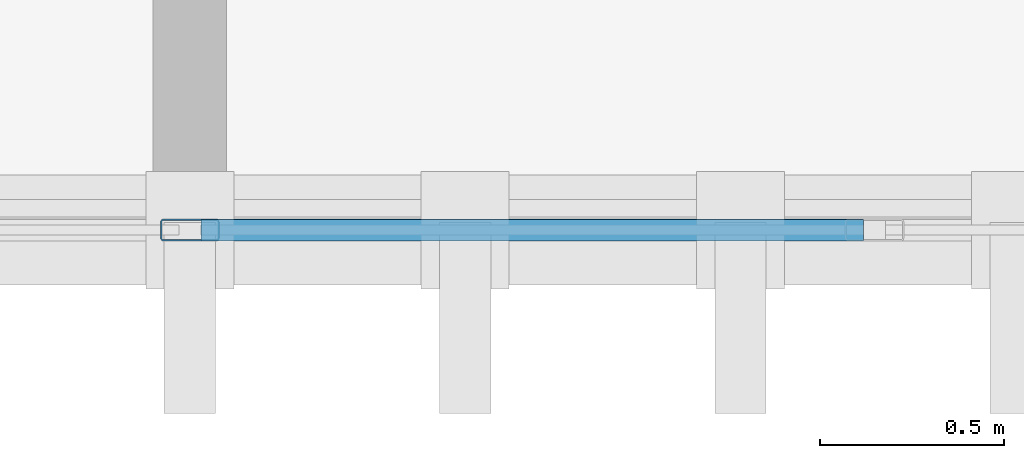
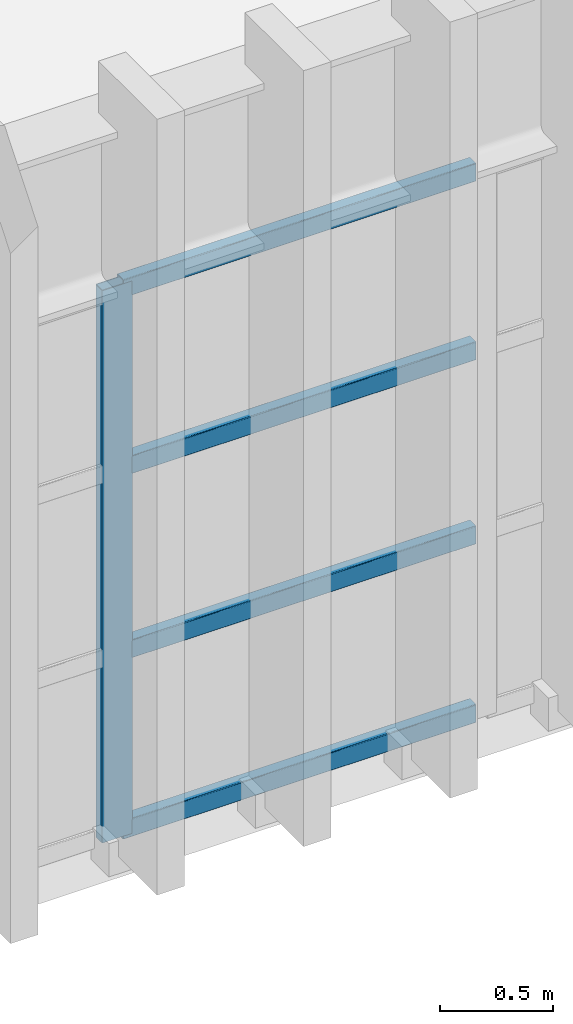
# One storey, part 12 of 51: 5 members, 1 element without a shape of its own.
"""IFC4 building model written with IfcOpenShell, lengths in metres."""

from ifc_helpers import new_model, si_unit, direction, frame, origin, origin_2d, place, context, subcontext, project, spatial, hollow_rectangle, extrude, material, material_profile, profile_set, type_object, element, aggregate, save


model = new_model("IFC4")

# Units and contexts
model_context = context("Model", 3, precision=1e-05, world=origin(), true_north=direction((0.0, 1.0)))
body_context = subcontext(model_context, "Body", "Model", "MODEL_VIEW")
ifc_project = project(units=[si_unit("LENGTHUNIT", "METRE"), si_unit("AREAUNIT", "SQUARE_METRE"), si_unit("VOLUMEUNIT", "CUBIC_METRE"), si_unit("PLANEANGLEUNIT", "RADIAN"), si_unit("MASSUNIT", "GRAM", prefix="KILO")], contexts=[model_context])

# Site, building, storey
site_placement = place(None, origin())
site = spatial("IfcSite", under=ifc_project, at=site_placement, CompositionType="ELEMENT")
building_placement = place(site_placement, origin())
building = spatial("IfcBuilding", under=site, at=building_placement, Name="Qasida Concert Hall", CompositionType="ELEMENT")
storey_placement = place(building_placement, frame((0.0, 0.0, 21.0)))
storey = spatial("IfcBuildingStorey", under=building, at=storey_placement, Name="L05", CompositionType="ELEMENT", Elevation=21.0)

# Curtain wall, members
ifc_material_1 = material(Name="Architectural bronze-anodized aluminium and low-E glass", Category="aluminium")
curtain_wall_type = type_object("IfcCurtainWallType", Name="CW-05", PredefinedType="NOTDEFINED", material=ifc_material_1)
curtain_wall_placement = place(storey_placement, origin())
curtain_wall = element("IfcCurtainWall", 1, at=curtain_wall_placement, inside=storey, type_object=curtain_wall_type, Name="L05 curtain wall CW-05 0032", PredefinedType="NOTDEFINED")
ifc_material_2 = material(Name="Architectural bronze-anodized aluminium EN AW-6063", Category="aluminium")
ifc_material_profile_1 = material_profile(ifc_material_2, hollow_rectangle(XDim=0.06005859375, YDim=0.159912109375, WallThickness=0.00390625, InnerFilletRadius=0.00390625, OuterFilletRadius=0.008056640625, at=origin_2d()), Name="CWM 160x60x4")
ifc_profile_set_1 = profile_set([ifc_material_profile_1], Name="Architectural bronze-anodized aluminium EN AW-6063")
member_type_1 = type_object("IfcMemberType", Name="MB-CWM-3", PredefinedType="MULLION", material=ifc_profile_set_1)
member_1_placement = place(storey_placement, frame((78.75, 14.699951171875, 0.0), z_axis=(0.0, 0.0, 1.0), x_axis=(0.0, 1.0, 0.0)))
member_1 = element("IfcMember", 2, at=member_1_placement, type_object=member_type_1, Name="CW-05 mullion 3", PredefinedType="MULLION", context=body_context, shape_type="SweptSolid", body=[
    extrude(hollow_rectangle(XDim=0.06005859375, YDim=0.159912109375, WallThickness=0.00390625, InnerFilletRadius=0.00390625, OuterFilletRadius=0.008056640625, at=origin_2d()), origin(), (0.0, 0.0, 1.0), 2.989990234375),
])
ifc_material_profile_2 = material_profile(ifc_material_2, hollow_rectangle(XDim=0.06005859375, YDim=0.10009765625, WallThickness=0.00341796875, InnerFilletRadius=0.00341796875, OuterFilletRadius=0.007080078125, at=origin_2d()), Name="CWT 100x60x3.5")
ifc_profile_set_2 = profile_set([ifc_material_profile_2], Name="Architectural bronze-anodized aluminium EN AW-6063")
member_type_2 = type_object("IfcMemberType", Name="MB-CWT-3", PredefinedType="USERDEFINED", material=ifc_profile_set_2)
member_2_placement = place(storey_placement, frame((78.780029296875, 14.699951171875, 0.030029296875), z_axis=(1.0, 0.0, 0.0), x_axis=(0.0, 1.0, 0.0)))
member_2 = element("IfcMember", 3, at=member_2_placement, type_object=member_type_2, Name="CW-05 transom 3.1", ObjectType="TRANSOM", PredefinedType="USERDEFINED", context=body_context, shape_type="SweptSolid", body=[
    extrude(hollow_rectangle(XDim=0.06005859375, YDim=0.10009765625, WallThickness=0.00341796875, InnerFilletRadius=0.00341796875, OuterFilletRadius=0.007080078125, at=origin_2d()), origin(), (0.0, 0.0, 1.0), 1.804931640625),
])
member_3_placement = place(storey_placement, frame((78.780029296875, 14.699951171875, 0.99658203125), z_axis=(1.0, 0.0, 0.0), x_axis=(0.0, 1.0, 0.0)))
member_3 = element("IfcMember", 4, at=member_3_placement, type_object=member_type_2, Name="CW-05 transom 3.2", ObjectType="TRANSOM", PredefinedType="USERDEFINED", context=body_context, shape_type="SweptSolid", body=[
    extrude(hollow_rectangle(XDim=0.06005859375, YDim=0.10009765625, WallThickness=0.00341796875, InnerFilletRadius=0.00341796875, OuterFilletRadius=0.007080078125, at=origin_2d()), origin(), (0.0, 0.0, 1.0), 1.804931640625),
])
member_4_placement = place(storey_placement, frame((78.780029296875, 14.699951171875, 1.993408203125), z_axis=(1.0, 0.0, 0.0), x_axis=(0.0, 1.0, 0.0)))
member_4 = element("IfcMember", 5, at=member_4_placement, type_object=member_type_2, Name="CW-05 transom 3.3", ObjectType="TRANSOM", PredefinedType="USERDEFINED", context=body_context, shape_type="SweptSolid", body=[
    extrude(hollow_rectangle(XDim=0.06005859375, YDim=0.10009765625, WallThickness=0.00341796875, InnerFilletRadius=0.00341796875, OuterFilletRadius=0.007080078125, at=origin_2d()), origin(), (0.0, 0.0, 1.0), 1.804931640625),
])
member_5_placement = place(storey_placement, frame((78.780029296875, 14.699951171875, 2.9599609375), z_axis=(1.0, 0.0, 0.0), x_axis=(0.0, 1.0, 0.0)))
member_5 = element("IfcMember", 6, at=member_5_placement, type_object=member_type_2, Name="CW-05 transom 3.4", ObjectType="TRANSOM", PredefinedType="USERDEFINED", context=body_context, shape_type="SweptSolid", body=[
    extrude(hollow_rectangle(XDim=0.06005859375, YDim=0.10009765625, WallThickness=0.00341796875, InnerFilletRadius=0.00341796875, OuterFilletRadius=0.007080078125, at=origin_2d()), origin(), (0.0, 0.0, 1.0), 1.804931640625),
])
aggregate(curtain_wall, [member_1, member_2, member_3, member_4, member_5])

save(model, "model.ifc")
